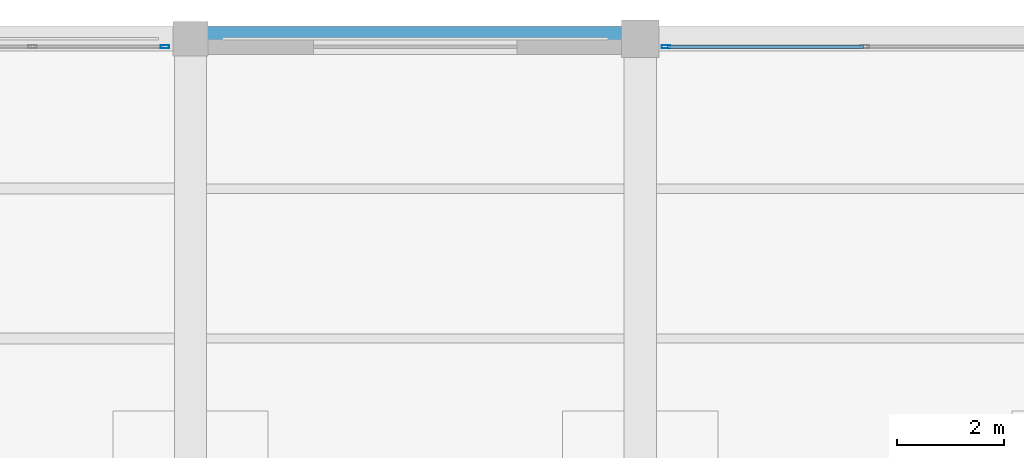
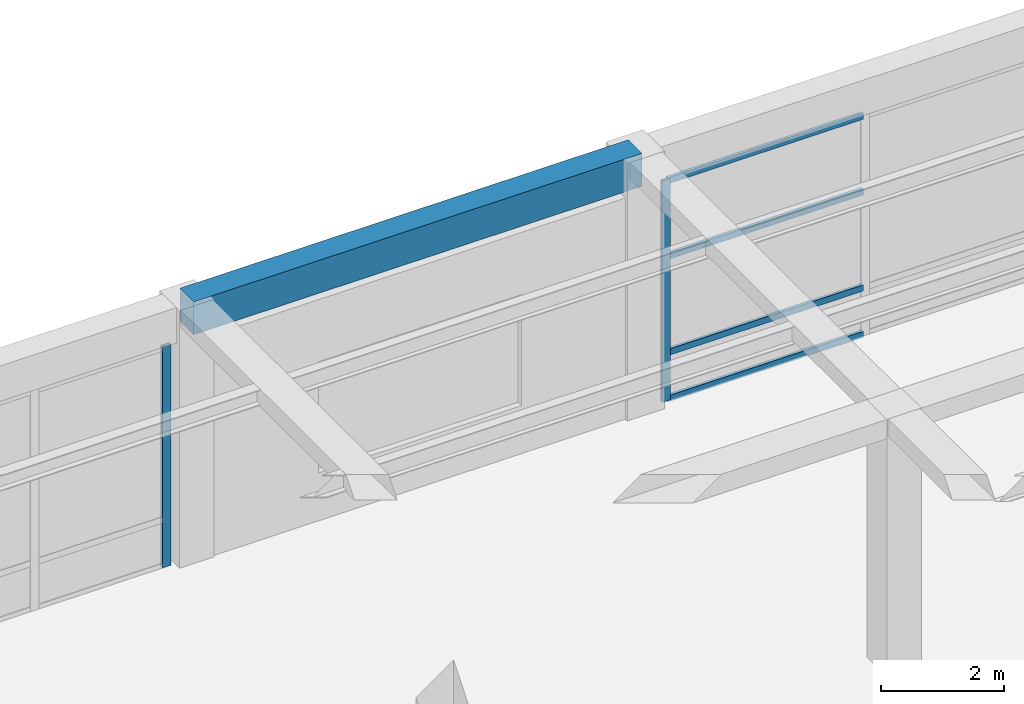
# One storey, part 60 of 96: 6 members, 1 beam, 2 elements without a shape of their own.
"""IFC4 building model written with IfcOpenShell, lengths in metres."""

import ifcopenshell
import ifcopenshell.guid

model = None  # the IFC model being written
_history = None  # IfcOwnerHistory: only IFC2X3 demands one
_inside = {}  # id of a spatial element -> (the spatial element, [elements in it])
_under = {}  # id of a project, library or spatial element -> (it, [spatial elements below it])
_declared = {}  # id of a project -> (the project, [libraries it declares])
_typed = {}  # id of a type object -> (the type object, [elements of that type])
_made_of = {}  # id of a material, layer set ... -> (it, [elements and type objects made of it])


def new_model(schema):
    """Start an empty IFC model of exactly this schema.

    Asked for "IFC4X3", IfcOpenShell would pick the latest addendum, in which some entities
    have other attributes; the version numbers below select the first issue.
    IFC2X3 requires an IfcOwnerHistory on every rooted entity: one is made here for all.
    """
    global model, _history
    if schema == "IFC4X3":
        model = ifcopenshell.file(schema_version=(4, 3, 0, 0))
    else:
        model = ifcopenshell.file(schema=schema)
    _inside.clear()
    _under.clear()
    _declared.clear()
    _typed.clear()
    _made_of.clear()
    _history = None
    if model.schema == "IFC2X3":
        org = make("IfcOrganization", Name="unknown")
        user = make(
            "IfcPersonAndOrganization",
            ThePerson=make("IfcPerson", FamilyName="unknown"),
            TheOrganization=org,
        )
        app = make(
            "IfcApplication",
            ApplicationDeveloper=org,
            Version="unknown",
            ApplicationFullName="unknown",
            ApplicationIdentifier="unknown",
        )
        _history = make(
            "IfcOwnerHistory",
            OwningUser=user,
            OwningApplication=app,
            ChangeAction="ADDED",
            CreationDate=0,
        )
    return model


def make(cls, **values):
    """One entity of the class cls with the attributes given. An attribute that is None is left unset."""
    return model.create_entity(
        cls, **{name: value for name, value in values.items() if value is not None}
    )


def rooted(cls, **values):
    """An entity with a GlobalId (a new one), such as an element, a storey or a relation."""
    return make(cls, GlobalId=ifcopenshell.guid.new(), OwnerHistory=_history, **values)


def si_unit(unit_type, name, prefix=None):
    """IfcSIUnit, for example si_unit("LENGTHUNIT", "METRE", prefix="MILLI")."""
    return make("IfcSIUnit", UnitType=unit_type, Prefix=prefix, Name=name)


def assignment(units):
    """IfcUnitAssignment: the units of a project."""
    return None if units is None else make("IfcUnitAssignment", Units=units)


def point(xyz):
    """IfcCartesianPoint."""
    return None if xyz is None else make("IfcCartesianPoint", Coordinates=xyz)


def direction(xyz):
    """IfcDirection."""
    return None if xyz is None else make("IfcDirection", DirectionRatios=xyz)


def frame(location, z_axis=None, x_axis=None):
    """IfcAxis2Placement3D, a coordinate frame: its origin and axes. An axis left out is left unset."""
    return make(
        "IfcAxis2Placement3D",
        Location=point(location),
        Axis=direction(z_axis),
        RefDirection=direction(x_axis),
    )


def frame_2d(location, x_axis=None):
    """IfcAxis2Placement2D, a coordinate frame in the plane: its origin and x axis."""
    return make(
        "IfcAxis2Placement2D", Location=point(location), RefDirection=direction(x_axis)
    )


def origin():
    """The frame at (0, 0, 0) with its axes left unset."""
    return frame((0.0, 0.0, 0.0))


def origin_2d():
    """The frame at (0, 0) in the plane with its x axis left unset."""
    return frame_2d((0.0, 0.0))


def place(relative_to, where):
    """IfcLocalPlacement: puts the frame where relative to a parent placement (None: the world)."""
    return make(
        "IfcLocalPlacement", PlacementRelTo=relative_to, RelativePlacement=where
    )


def context(
    kind, dimensions, precision=None, world=None, true_north=None, identifier=None
):
    """IfcGeometricRepresentationContext, for example the 3D "Model" context."""
    return make(
        "IfcGeometricRepresentationContext",
        ContextIdentifier=identifier,
        ContextType=kind,
        CoordinateSpaceDimension=dimensions,
        Precision=precision,
        WorldCoordinateSystem=world,
        TrueNorth=true_north,
    )


def subcontext(parent, identifier, kind, view, scale=None):
    """IfcGeometricRepresentationSubContext, for example "Body" below "Model"."""
    return make(
        "IfcGeometricRepresentationSubContext",
        ContextIdentifier=identifier,
        ContextType=kind,
        ParentContext=parent,
        TargetScale=scale,
        TargetView=view,
    )


def project(units=None, contexts=None):
    """IfcProject with its units and contexts."""
    return rooted(
        "IfcProject",
        Name="project",
        RepresentationContexts=contexts,
        UnitsInContext=assignment(units),
    )


def spatial(cls, under=None, at=None, **own):
    """A site, building, storey or space (cls), placed at a placement, below another one or the project."""
    s = rooted(cls, ObjectPlacement=at, **own)
    if under is not None:
        _under.setdefault(under.id(), (under, []))[1].append(s)
    return s


def profile(cls, at=None, kind="AREA", **sizes):
    """A parametric profile (cls). Its sizes go by their IFC names, for example OverallWidth=200.0."""
    return make(cls, ProfileType=kind, Position=at, **sizes)


def rectangle(**sizes):
    """IfcRectangleProfileDef."""
    return profile("IfcRectangleProfileDef", **sizes)


def hollow_rectangle(**sizes):
    """IfcRectangleHollowProfileDef."""
    return profile("IfcRectangleHollowProfileDef", **sizes)


def extrude(swept, where, along, depth):
    """IfcExtrudedAreaSolid: the profile swept, set in the frame where, extruded along a direction by depth."""
    return make(
        "IfcExtrudedAreaSolid",
        SweptArea=swept,
        Position=where,
        ExtrudedDirection=direction(along),
        Depth=depth,
    )


def shape(context_of_items, identifier, shape_type, items):
    """IfcShapeRepresentation: the items that make up one representation, for example the "Body"."""
    return make(
        "IfcShapeRepresentation",
        ContextOfItems=context_of_items,
        RepresentationIdentifier=identifier,
        RepresentationType=shape_type,
        Items=items,
    )


def material(Name=None, Category=None):
    """IfcMaterial."""
    return make("IfcMaterial", Name=Name, Category=Category)


def material_profile(
    of_material, cross_section, Name=None, Category=None, Priority=None
):
    """IfcMaterialProfile: a cross section and its material."""
    return make(
        "IfcMaterialProfile",
        Name=Name,
        Material=of_material,
        Profile=cross_section,
        Priority=Priority,
        Category=Category,
    )


def profile_set(profiles, Name=None, composite=None):
    """IfcMaterialProfileSet."""
    return make(
        "IfcMaterialProfileSet",
        Name=Name,
        MaterialProfiles=profiles,
        CompositeProfile=composite,
    )


def made_of(thing, what):
    """Note that an element or type object is made of a material, layer set ...; save() writes the relation."""
    if what is not None:
        _made_of.setdefault(what.id(), (what, []))[1].append(thing)
    return thing


def type_object(cls, material=None, **own):
    """A type object (cls), such as IfcWallType, which elements share."""
    return made_of(rooted(cls, **own), material)


def element(
    cls,
    number,
    at=None,
    inside=None,
    cuts=None,
    type_object=None,
    material=None,
    context=None,
    identifier="Body",
    shape_type=None,
    held_by="IfcProductDefinitionShape",
    body=None,
    shapes=None,
    **own,
):
    """One element of the class cls, such as IfcWall. Its Tag is "e" and its number.

    at: its placement. inside: the storey or other place that contains it. cuts: it is an
    opening in that element (IfcRelVoidsElement). A single representation is given by context,
    identifier, shape_type and body (its items); several are given by shapes. held_by: the class
    of the entity that holds the representations. save() writes the other relations.
    """
    e = rooted(cls, Tag="e%d" % number, ObjectPlacement=at, **own)
    if body is not None:
        shapes = [shape(context, identifier, shape_type, body)]
    if shapes is not None:
        e.Representation = make(held_by, Representations=shapes)
    if inside is not None:
        _inside.setdefault(inside.id(), (inside, []))[1].append(e)
    if cuts is not None:
        rooted(
            "IfcRelVoidsElement", RelatingBuildingElement=cuts, RelatedOpeningElement=e
        )
    if type_object is not None:
        _typed.setdefault(type_object.id(), (type_object, []))[1].append(e)
    return made_of(e, material)


def aggregate(whole, parts):
    """IfcRelAggregates: a whole, such as a stair, and the parts it consists of."""
    return rooted("IfcRelAggregates", RelatingObject=whole, RelatedObjects=parts)


def save(model, path):
    """Write the relations noted so far, then the file.

    IfcRelAggregates (storeys below a building ...), IfcRelContainedInSpatialStructure (elements
    in a storey), IfcRelDefinesByType, IfcRelAssociatesMaterial and IfcRelDeclares: one each for
    every whole, place, type object, material and project.
    """
    for whole, parts in _under.values():
        aggregate(whole, parts)
    for where, things in _inside.values():
        rooted(
            "IfcRelContainedInSpatialStructure",
            RelatedElements=things,
            RelatingStructure=where,
        )
    for kind, things in _typed.values():
        rooted("IfcRelDefinesByType", RelatedObjects=things, RelatingType=kind)
    for what, things in _made_of.values():
        rooted("IfcRelAssociatesMaterial", RelatedObjects=things, RelatingMaterial=what)
    for by, libraries in _declared.values():
        rooted("IfcRelDeclares", RelatingContext=by, RelatedDefinitions=libraries)
    model.write(path)


model = new_model("IFC4")

# Units and contexts
model_context = context("Model", 3, precision=1e-05, world=origin(), true_north=direction((0.0, 1.0)))
body_context = subcontext(model_context, "Body", "Model", "MODEL_VIEW")
ifc_project = project(units=[si_unit("LENGTHUNIT", "METRE"), si_unit("AREAUNIT", "SQUARE_METRE"), si_unit("VOLUMEUNIT", "CUBIC_METRE"), si_unit("PLANEANGLEUNIT", "RADIAN"), si_unit("MASSUNIT", "GRAM", prefix="KILO")], contexts=[model_context])

# Site, building, storey
site_placement = place(None, origin())
site = spatial("IfcSite", under=ifc_project, at=site_placement, CompositionType="ELEMENT")
building_placement = place(site_placement, origin())
building = spatial("IfcBuilding", under=site, at=building_placement, Name="Almacenes y Pasaje Nevantli", CompositionType="ELEMENT")
storey_placement = place(building_placement, frame((0.0, 0.0, 6.0)))
storey = spatial("IfcBuildingStorey", under=building, at=storey_placement, Name="L02", CompositionType="ELEMENT", Elevation=6.0)

# Beam
ifc_material_1 = material(Name="Concrete C35/45", Category="concrete")
ifc_material_profile_1 = material_profile(ifc_material_1, rectangle(XDim=0.449951171875, YDim=0.64990234375, at=origin_2d()), Name="RC-BM-450x650")
ifc_profile_set_1 = profile_set([ifc_material_profile_1], Name="Concrete C35/45")
beam_type = type_object("IfcBeamType", Name="BM-RC-450x650", PredefinedType="SPANDREL", material=ifc_profile_set_1)
beam_placement = place(storey_placement, frame((126.0, 117.60009765625, 4.77490234375), z_axis=(1.0, 0.0, 0.0), x_axis=(0.0, 1.0, 0.0)))
element("IfcBeam", 1, at=beam_placement, inside=storey, type_object=beam_type, Name="L02 East-West Reinforced Concrete Beam #1961", PredefinedType="SPANDREL", context=body_context, shape_type="SweptSolid", body=[
    extrude(rectangle(XDim=0.449951171875, YDim=0.64990234375, at=origin_2d()), origin(), (0.0, 0.0, 1.0), 8.39990234375),
])

# Curtain wall, member
ifc_material_2 = material(Name="Thermally Broken Aluminium and Low-E Glass", Category="aluminium")
curtain_wall_type = type_object("IfcCurtainWallType", Name="CW-STF-BLVD", PredefinedType="USERDEFINED", material=ifc_material_2)
curtain_wall_1_placement = place(storey_placement, origin())
curtain_wall_1 = element("IfcCurtainWall", 2, at=curtain_wall_1_placement, inside=storey, type_object=curtain_wall_type, Name="L02 North Boulevard Retail Curtain Wall Bay 15", ObjectType="STOREFRONT GLAZING", PredefinedType="USERDEFINED")
ifc_material_3 = material(Name="Thermally Broken Anodized Aluminium", Category="aluminium")
ifc_material_profile_2 = material_profile(ifc_material_3, hollow_rectangle(XDim=0.06005859375, YDim=0.159912109375, WallThickness=0.00390625, at=origin_2d()), Name="ALU-MUL-60x160")
ifc_profile_set_2 = profile_set([ifc_material_profile_2], Name="Thermally Broken Anodized Aluminium")
member_type_1 = type_object("IfcMemberType", Name="CW-MUL-180", PredefinedType="MULLION", material=ifc_profile_set_2)
member_1_placement = place(storey_placement, frame((125.52001953125, 117.449951171875, 0.0), z_axis=(0.0, 0.0, 1.0), x_axis=(0.0, 1.0, 0.0)))
member_1 = element("IfcMember", 3, at=member_1_placement, type_object=member_type_1, Name="CW-L02-009 mullion 4", PredefinedType="MULLION", context=body_context, shape_type="SweptSolid", body=[
    extrude(hollow_rectangle(XDim=0.06005859375, YDim=0.159912109375, WallThickness=0.00390625, at=origin_2d()), origin(), (0.0, 0.0, 1.0), 4.3798828125),
])
aggregate(curtain_wall_1, [member_1])

# Curtain wall, members
curtain_wall_2_placement = place(storey_placement, origin())
curtain_wall_2 = element("IfcCurtainWall", 4, at=curtain_wall_2_placement, inside=storey, type_object=curtain_wall_type, Name="L02 North Boulevard Retail Curtain Wall Bay 17", ObjectType="STOREFRONT GLAZING", PredefinedType="USERDEFINED")
member_2_placement = place(storey_placement, frame((134.8798828125, 117.449951171875, 0.0), z_axis=(0.0, 0.0, 1.0), x_axis=(0.0, 1.0, 0.0)))
member_2 = element("IfcMember", 5, at=member_2_placement, type_object=member_type_1, Name="CW-L02-010 mullion 1", PredefinedType="MULLION", context=body_context, shape_type="SweptSolid", body=[
    extrude(hollow_rectangle(XDim=0.06005859375, YDim=0.159912109375, WallThickness=0.00390625, at=origin_2d()), origin(), (0.0, 0.0, 1.0), 4.3798828125),
])
ifc_material_4 = material(Name="Thermally Broken Anodized Aluminium", Category="aluminium")
ifc_material_profile_3 = material_profile(ifc_material_4, hollow_rectangle(XDim=0.06005859375, YDim=0.1201171875, WallThickness=0.00341796875, at=origin_2d()), Name="ALU-TRN-60x120")
ifc_profile_set_3 = profile_set([ifc_material_profile_3], Name="Thermally Broken Anodized Aluminium")
member_type_2 = type_object("IfcMemberType", Name="CW-TRN-130", PredefinedType="USERDEFINED", material=ifc_profile_set_3)
member_3_placement = place(storey_placement, frame((134.909912109375, 117.449951171875, 0.030029296875), z_axis=(1.0, 0.0, 0.0), x_axis=(0.0, 1.0, 0.0)))
member_3 = element("IfcMember", 6, at=member_3_placement, type_object=member_type_2, Name="CW-L02-010 transom 1.1", ObjectType="TRANSOM", PredefinedType="USERDEFINED", context=body_context, shape_type="SweptSolid", body=[
    extrude(hollow_rectangle(XDim=0.06005859375, YDim=0.1201171875, WallThickness=0.00341796875, at=origin_2d()), origin(), (0.0, 0.0, 1.0), 3.66015625),
])
member_4_placement = place(storey_placement, frame((134.909912109375, 117.449951171875, 0.949951171875), z_axis=(1.0, 0.0, 0.0), x_axis=(0.0, 1.0, 0.0)))
member_4 = element("IfcMember", 7, at=member_4_placement, type_object=member_type_2, Name="CW-L02-010 transom 1.2", ObjectType="TRANSOM", PredefinedType="USERDEFINED", context=body_context, shape_type="SweptSolid", body=[
    extrude(hollow_rectangle(XDim=0.06005859375, YDim=0.1201171875, WallThickness=0.00341796875, at=origin_2d()), origin(), (0.0, 0.0, 1.0), 3.66015625),
])
member_5_placement = place(storey_placement, frame((134.909912109375, 117.449951171875, 2.85009765625), z_axis=(1.0, 0.0, 0.0), x_axis=(0.0, 1.0, 0.0)))
member_5 = element("IfcMember", 8, at=member_5_placement, type_object=member_type_2, Name="CW-L02-010 transom 1.3", ObjectType="TRANSOM", PredefinedType="USERDEFINED", context=body_context, shape_type="SweptSolid", body=[
    extrude(hollow_rectangle(XDim=0.06005859375, YDim=0.1201171875, WallThickness=0.00341796875, at=origin_2d()), origin(), (0.0, 0.0, 1.0), 3.66015625),
])
member_6_placement = place(storey_placement, frame((134.909912109375, 117.449951171875, 4.35009765625), z_axis=(1.0, 0.0, 0.0), x_axis=(0.0, 1.0, 0.0)))
member_6 = element("IfcMember", 9, at=member_6_placement, type_object=member_type_2, Name="CW-L02-010 transom 1.4", ObjectType="TRANSOM", PredefinedType="USERDEFINED", context=body_context, shape_type="SweptSolid", body=[
    extrude(hollow_rectangle(XDim=0.06005859375, YDim=0.1201171875, WallThickness=0.00341796875, at=origin_2d()), origin(), (0.0, 0.0, 1.0), 3.66015625),
])
aggregate(curtain_wall_2, [member_2, member_3, member_4, member_5, member_6])

save(model, "model.ifc")
